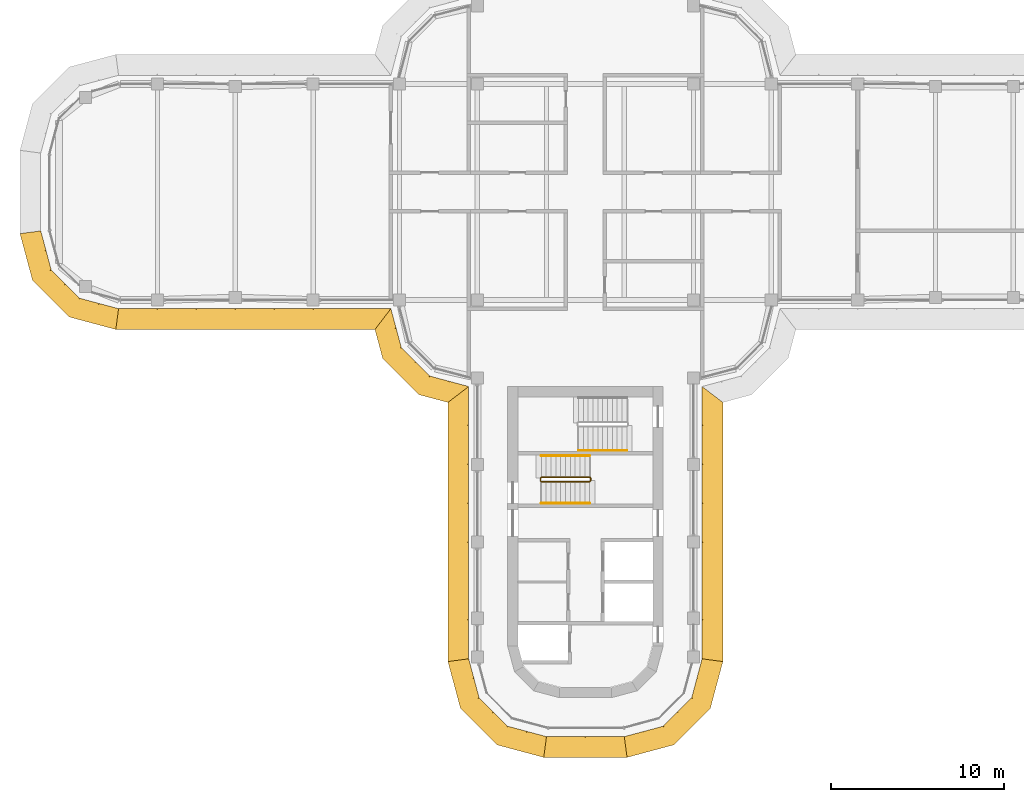
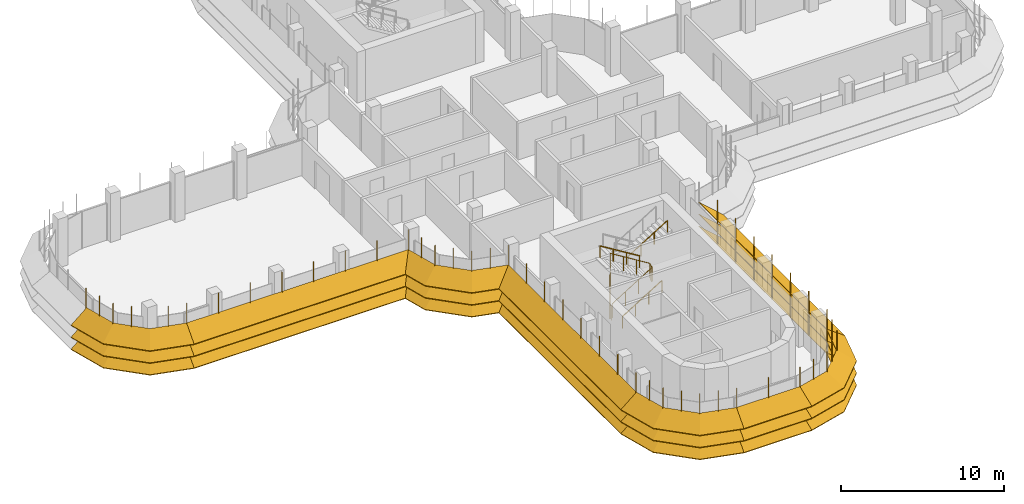
# One storey, part 16 of 19: 8 shading devices, 4 railings.
"""IFC4 building model written with IfcOpenShell, lengths in metres."""

from ifc_helpers import new_model, si_unit, direction, frame, origin, origin_2d, place, context, subcontext, project, spatial, polyline, circle, outline, extrude, faceted_brep, source, transform, mapped, material, type_object, element, save


model = new_model("IFC4")

# Units and contexts
model_context = context("Model", 3, precision=1e-05, world=origin(), true_north=direction((0.0, 1.0)))
body_context = subcontext(model_context, "Body", "Model", "MODEL_VIEW")
ifc_project = project(units=[si_unit("LENGTHUNIT", "METRE"), si_unit("AREAUNIT", "SQUARE_METRE"), si_unit("VOLUMEUNIT", "CUBIC_METRE"), si_unit("PLANEANGLEUNIT", "RADIAN"), si_unit("MASSUNIT", "GRAM", prefix="KILO")], contexts=[model_context])

# Site, building, storey
site_placement = place(None, origin())
site = spatial("IfcSite", under=ifc_project, at=site_placement, CompositionType="ELEMENT")
building_placement = place(site_placement, origin())
building = spatial("IfcBuilding", under=site, at=building_placement, Name="Zarbagh Exchange Tower", CompositionType="ELEMENT")
storey_placement = place(building_placement, frame((0.0, 0.0, 225.800048828125)))
storey = spatial("IfcBuildingStorey", under=building, at=storey_placement, Name="L55", CompositionType="ELEMENT", Elevation=225.800048828125)

# Railings
ifc_material_1 = material(Name="Stainless steel", Category="steel")
railing_type_1 = type_object("IfcRailingType", Name="Stair guard 1100 mm", PredefinedType="GUARDRAIL", material=ifc_material_1)
railing_1_placement = place(storey_placement, frame((-2.550048828125, -16.75, 0.172607421875)))
element("IfcRailing", 1, at=railing_1_placement, inside=storey, type_object=railing_type_1, Name="ST3 stair guard 1", PredefinedType="GUARDRAIL", context=body_context, shape_type="SweptSolid", body=[
    extrude(circle(Radius=0.02392578125, at=origin_2d()), frame((0.0, 0.0, 1.076171875), z_axis=(0.851089632645, 0.0, 0.525020415988), x_axis=(0.0, 1.0, 0.0)), (0.0, 0.0, 1.0), 3.2900390625),
    extrude(circle(Radius=0.02392578125, at=origin_2d()), frame((2.800048828125, 0.0, 2.80322265625), z_axis=(0.707106781187, 0.707106781187, 0.0), x_axis=(-0.707106781187, 0.707106781187, 0.0)), (0.0, 0.0, 1.0), 0.07080078125),
    extrude(circle(Radius=0.02392578125, at=origin_2d()), frame((2.85009765625, 0.050048828125, 2.80322265625), z_axis=(0.0, 1.0, 0.0), x_axis=(-1.0, 0.0, 0.0)), (0.0, 0.0, 1.0), 0.14990234375),
    extrude(circle(Radius=0.02392578125, at=origin_2d()), frame((2.85009765625, 0.199951171875, 2.80322265625), z_axis=(-0.267953482034, 0.267953482034, 0.925419830635), x_axis=(-0.707106781187, -0.707106781187, 0.0)), (0.0, 0.0, 1.0), 0.186767578125),
    extrude(circle(Radius=0.02392578125, at=origin_2d()), frame((2.800048828125, 0.25, 2.97607421875), z_axis=(-0.851089632645, 0.0, 0.525020415988), x_axis=(0.0, -1.0, 0.0)), (0.0, 0.0, 1.0), 3.2900390625),
    extrude(circle(Radius=0.02392578125, at=origin_2d()), frame((0.0, 0.25, 4.70361328125), z_axis=(-0.013168290981, -0.013168290981, -0.999826581076), x_axis=(0.707106781187, -0.707106781187, 0.0)), (0.0, 0.0, 1.0), 3.80078125),
    extrude(circle(Radius=0.02392578125, at=origin_2d()), frame((-0.050048828125, 0.199951171875, 0.9033203125), z_axis=(0.0, -1.0, 0.0), x_axis=(1.0, 0.0, 0.0)), (0.0, 0.0, 1.0), 0.14990234375),
    extrude(circle(Radius=0.02099609375, at=origin_2d()), origin(), (0.0, 0.0, 1.0), 1.052001953125),
    extrude(circle(Radius=0.02099609375, at=origin_2d()), frame((0.933349609375, 0.0, 0.57568359375)), (0.0, 0.0, 1.0), 1.052001953125),
    extrude(circle(Radius=0.02099609375, at=origin_2d()), frame((1.86669921875, 0.0, 1.151611328125)), (0.0, 0.0, 1.0), 1.052001953125),
    extrude(circle(Radius=0.02099609375, at=origin_2d()), frame((2.800048828125, 0.0, 1.727294921875)), (0.0, 0.0, 1.0), 1.052001953125),
    extrude(circle(Radius=0.02099609375, at=origin_2d()), frame((2.85009765625, 0.050048828125, 1.727294921875)), (0.0, 0.0, 1.0), 1.052001953125),
    extrude(circle(Radius=0.02099609375, at=origin_2d()), frame((2.85009765625, 0.199951171875, 1.727294921875)), (0.0, 0.0, 1.0), 1.052001953125),
    extrude(circle(Radius=0.02099609375, at=origin_2d()), frame((2.800048828125, 0.25, 1.900146484375)), (0.0, 0.0, 1.0), 1.052001953125),
    extrude(circle(Radius=0.02099609375, at=origin_2d()), frame((1.86669921875, 0.25, 2.475830078125)), (0.0, 0.0, 1.0), 1.052001953125),
    extrude(circle(Radius=0.02099609375, at=origin_2d()), frame((0.933349609375, 0.25, 3.0517578125)), (0.0, 0.0, 1.0), 1.052001953125),
    extrude(circle(Radius=0.02099609375, at=origin_2d()), frame((0.0, 0.25, 3.62744140625)), (0.0, 0.0, 1.0), 1.052001953125),
    extrude(circle(Radius=0.02099609375, at=origin_2d()), frame((-0.012451171875, 0.237548828125, 2.677490234375)), (0.0, 0.0, 1.0), 1.052001953125),
    extrude(circle(Radius=0.02099609375, at=origin_2d()), frame((-0.02490234375, 0.22509765625, 1.7275390625)), (0.0, 0.0, 1.0), 1.052001953125),
    extrude(circle(Radius=0.02099609375, at=origin_2d()), frame((-0.03759765625, 0.21240234375, 0.77734375)), (0.0, 0.0, 1.0), 1.052001953125),
    extrude(circle(Radius=0.02099609375, at=origin_2d()), frame((-0.050048828125, 0.199951171875, -0.172607421875)), (0.0, 0.0, 1.0), 1.052001953125),
    extrude(circle(Radius=0.02099609375, at=origin_2d()), frame((-0.050048828125, 0.050048828125, -0.172607421875)), (0.0, 0.0, 1.0), 1.052001953125),
])
railing_type_2 = type_object("IfcRailingType", Name="Stair handrail 900 mm", PredefinedType="HANDRAIL", material=ifc_material_1)
railing_2_placement = place(storey_placement, frame((-2.550048828125, -18.0, 0.172607421875)))
element("IfcRailing", 2, at=railing_2_placement, inside=storey, type_object=railing_type_2, Name="ST3 stair handrail 1", PredefinedType="HANDRAIL", context=body_context, shape_type="SweptSolid", body=[
    extrude(circle(Radius=0.02392578125, at=origin_2d()), frame((0.0, 0.0, 0.8759765625), z_axis=(0.851089632645, 0.0, 0.525020415988), x_axis=(0.0, 1.0, 0.0)), (0.0, 0.0, 1.0), 3.2900390625),
    extrude(circle(Radius=0.02099609375, at=origin_2d()), origin(), (0.0, 0.0, 1.0), 0.851806640625),
    extrude(circle(Radius=0.02099609375, at=origin_2d()), frame((0.933349609375, 0.0, 0.57568359375)), (0.0, 0.0, 1.0), 0.851806640625),
    extrude(circle(Radius=0.02099609375, at=origin_2d()), frame((1.86669921875, 0.0, 1.151611328125)), (0.0, 0.0, 1.0), 0.851806640625),
    extrude(circle(Radius=0.02099609375, at=origin_2d()), frame((2.800048828125, 0.0, 1.727294921875)), (0.0, 0.0, 1.0), 0.851806640625),
])
railing_3_placement = place(storey_placement, frame((0.25, -15.25, 2.07275390625)))
element("IfcRailing", 3, at=railing_3_placement, inside=storey, type_object=railing_type_2, Name="ST3 stair handrail 2", PredefinedType="HANDRAIL", context=body_context, shape_type="SweptSolid", body=[
    extrude(circle(Radius=0.02392578125, at=origin_2d()), frame((0.0, 0.0, 0.8759765625), z_axis=(-0.851089632645, 0.0, 0.525020415988), x_axis=(0.0, -1.0, 0.0)), (0.0, 0.0, 1.0), 3.2900390625),
    extrude(circle(Radius=0.02099609375, at=origin_2d()), origin(), (0.0, 0.0, 1.0), 0.851806640625),
    extrude(circle(Radius=0.02099609375, at=origin_2d()), frame((-0.933349609375, 0.0, 0.57568359375)), (0.0, 0.0, 1.0), 0.851806640625),
    extrude(circle(Radius=0.02099609375, at=origin_2d()), frame((-1.86669921875, 0.0, 1.151611328125)), (0.0, 0.0, 1.0), 0.851806640625),
    extrude(circle(Radius=0.02099609375, at=origin_2d()), frame((-2.800048828125, 0.0, 1.727294921875)), (0.0, 0.0, 1.0), 0.851806640625),
])
railing_4_placement = place(storey_placement, frame((-0.39990234375, -14.949951171875, 2.07275390625)))
element("IfcRailing", 4, at=railing_4_placement, inside=storey, type_object=railing_type_2, Name="ST4 stair handrail 2", PredefinedType="HANDRAIL", context=body_context, shape_type="SweptSolid", body=[
    extrude(circle(Radius=0.02392578125, at=origin_2d()), frame((0.0, 0.0, 0.8759765625), z_axis=(0.851069175582, 0.0, 0.525053576669), x_axis=(0.0, 1.0, 0.0)), (0.0, 0.0, 1.0), 3.289794921875),
    extrude(circle(Radius=0.02099609375, at=origin_2d()), origin(), (0.0, 0.0, 1.0), 0.851806640625),
    extrude(circle(Radius=0.02099609375, at=origin_2d()), frame((0.933349609375, 0.0, 0.57568359375)), (0.0, 0.0, 1.0), 0.851806640625),
    extrude(circle(Radius=0.02099609375, at=origin_2d()), frame((1.866455078125, 0.0, 1.151611328125)), (0.0, 0.0, 1.0), 0.851806640625),
    extrude(circle(Radius=0.02099609375, at=origin_2d()), frame((2.7998046875, 0.0, 1.727294921875)), (0.0, 0.0, 1.0), 0.851806640625),
])

# Shading devices
ifc_material_2 = material(Name="Anodised aluminium blades and brackets", Category="aluminium")
shading_device_type = type_object("IfcShadingDeviceType", Name="SUNSHADE louvre band, 33.75 degree blades", PredefinedType="JALOUSIE", material=ifc_material_2)
shared_shape_1 = source(origin(), body_context, "Body", "Brep", [
    faceted_brep([(0.0, 0.0, 0.0), (0.0, 0.0, -0.048095703125), (-0.157958984375, -1.199951171875, -0.849853515625), (-0.157958984375, -1.199951171875, -0.8017578125), (2.65087890625, -1.199951171875, -0.8017578125), (2.65087890625, -1.199951171875, -0.849853515625), (2.329345703125, 0.0, -0.048095703125), (2.329345703125, 0.0, 0.0)], [[[0, 1, 2, 3]], [[4, 5, 6, 7]], [[0, 7, 6, 1]], [[1, 6, 5, 2]], [[2, 5, 4, 3]], [[3, 4, 7, 0]]]),
])
shared_shape_2 = source(origin(), body_context, "Body", "Brep", [
    faceted_brep([(0.0, 0.0, 0.0), (0.0, 0.0, -0.048095703125), (-0.321533203125, -1.199951171875, -0.849853515625), (-0.321533203125, -1.199951171875, -0.8017578125), (2.65087890625, -1.199951171875, -0.8017578125), (2.65087890625, -1.199951171875, -0.849853515625), (2.329345703125, 0.0, -0.048095703125), (2.329345703125, 0.0, 0.0)], [[[0, 1, 2, 3]], [[4, 5, 6, 7]], [[0, 7, 6, 1]], [[1, 6, 5, 2]], [[2, 5, 4, 3]], [[3, 4, 7, 0]]]),
])
shared_shape_3 = source(origin(), body_context, "Body", "Brep", [
    faceted_brep([(0.0, 0.0, 0.0), (0.0, 0.0, -0.048095703125), (-0.321533203125, -1.199951171875, -0.849853515625), (-0.321533203125, -1.199951171875, -0.8017578125), (2.4873046875, -1.199951171875, -0.8017578125), (2.4873046875, -1.199951171875, -0.849853515625), (2.329345703125, 0.0, -0.048095703125), (2.329345703125, 0.0, 0.0)], [[[0, 1, 2, 3]], [[4, 5, 6, 7]], [[0, 7, 6, 1]], [[1, 6, 5, 2]], [[2, 5, 4, 3]], [[3, 4, 7, 0]]]),
])
shared_shape_4 = source(origin(), body_context, "Body", "SweptSolid", [
    extrude(outline(polyline([(0.0, -0.012451171875), (0.06005859375, -0.012451171875), (0.06005859375, 0.012451171875), (0.0, 0.012451171875), (0.0, -0.012451171875)])), origin(), (0.0, 0.0, 1.0), 3.358154296875),
])
placement = place(storey_placement, origin())
element("IfcShadingDevice", 5, at=placement, inside=storey, type_object=shading_device_type, Name="SS35 sunshade band", PredefinedType="JALOUSIE", context=body_context, shape_type="MappedRepresentation", body=[
    mapped(shared_shape_1, transform((2.25, -31.5, 2.300048828125), x_axis=(0.965924289636, 0.258824779902, 0.0), y_axis=(-0.258824779902, 0.965924289636, 0.0), z_axis=(0.0, 0.0, 1.0))),
    mapped(shared_shape_1, transform((2.25, -31.5, 1.39990234375), x_axis=(0.965924289636, 0.258824779902, 0.0), y_axis=(-0.258824779902, 0.965924289636, 0.0), z_axis=(0.0, 0.0, 1.0))),
    mapped(shared_shape_1, transform((2.25, -31.5, 0.5), x_axis=(0.965924289636, 0.258824779902, 0.0), y_axis=(-0.258824779902, 0.965924289636, 0.0), z_axis=(0.0, 0.0, 1.0))),
    mapped(shared_shape_2, transform((4.5, -30.897216796875, 2.300048828125), x_axis=(0.707106781187, 0.707106781187, 0.0), y_axis=(-0.707106781187, 0.707106781187, 0.0), z_axis=(0.0, 0.0, 1.0))),
    mapped(shared_shape_2, transform((4.5, -30.897216796875, 1.39990234375), x_axis=(0.707106781187, 0.707106781187, 0.0), y_axis=(-0.707106781187, 0.707106781187, 0.0), z_axis=(0.0, 0.0, 1.0))),
    mapped(shared_shape_2, transform((4.5, -30.897216796875, 0.5), x_axis=(0.707106781187, 0.707106781187, 0.0), y_axis=(-0.707106781187, 0.707106781187, 0.0), z_axis=(0.0, 0.0, 1.0))),
    mapped(shared_shape_3, transform((6.147216796875, -29.25, 2.300048828125), x_axis=(0.258824779902, 0.965924289636, 0.0), y_axis=(-0.965924289636, 0.258824779902, 0.0), z_axis=(0.0, 0.0, 1.0))),
    mapped(shared_shape_3, transform((6.147216796875, -29.25, 1.39990234375), x_axis=(0.258824779902, 0.965924289636, 0.0), y_axis=(-0.965924289636, 0.258824779902, 0.0), z_axis=(0.0, 0.0, 1.0))),
    mapped(shared_shape_3, transform((6.147216796875, -29.25, 0.5), x_axis=(0.258824779902, 0.965924289636, 0.0), y_axis=(-0.965924289636, 0.258824779902, 0.0), z_axis=(0.0, 0.0, 1.0))),
    mapped(shared_shape_4, transform((2.25, -31.5, 0.421875), x_axis=(0.130529263012, -0.991444457092, 0.0), y_axis=(0.991444457092, 0.130529263012, 0.0), z_axis=(0.0, 0.0, 1.0))),
    mapped(shared_shape_4, transform((3.375, -31.198486328125, 0.421875), x_axis=(0.258825058029, -0.96592421511, 0.0), y_axis=(0.96592421511, 0.258825058029, 0.0), z_axis=(0.0, 0.0, 1.0))),
    mapped(shared_shape_4, transform((4.5, -30.897216796875, 0.421875), x_axis=(0.50000275701, -0.866023812018, 0.0), y_axis=(0.866023812018, 0.50000275701, 0.0), z_axis=(0.0, 0.0, 1.0))),
    mapped(shared_shape_4, transform((5.323486328125, -30.073486328125, 0.421875), x_axis=(0.707106781187, -0.707106781187, 0.0), y_axis=(0.707106781187, 0.707106781187, 0.0), z_axis=(0.0, 0.0, 1.0))),
    mapped(shared_shape_4, transform((6.147216796875, -29.25, 0.421875), x_axis=(0.866023812018, -0.50000275701, 0.0), y_axis=(0.50000275701, 0.866023812018, 0.0), z_axis=(0.0, 0.0, 1.0))),
    mapped(shared_shape_4, transform((6.448486328125, -28.125, 0.421875), x_axis=(0.96592421511, -0.258825058029, 0.0), y_axis=(0.258825058029, 0.96592421511, 0.0), z_axis=(0.0, 0.0, 1.0))),
])
element("IfcShadingDevice", 6, at=placement, inside=storey, type_object=shading_device_type, Name="SS43 sunshade band", PredefinedType="JALOUSIE", context=body_context, shape_type="MappedRepresentation", body=[
    mapped(shared_shape_1, transform((-31.5, -2.25, 2.300048828125), x_axis=(0.258824779902, -0.965924289636, 0.0), y_axis=(0.965924289636, 0.258824779902, 0.0), z_axis=(0.0, 0.0, 1.0))),
    mapped(shared_shape_1, transform((-31.5, -2.25, 1.39990234375), x_axis=(0.258824779902, -0.965924289636, 0.0), y_axis=(0.965924289636, 0.258824779902, 0.0), z_axis=(0.0, 0.0, 1.0))),
    mapped(shared_shape_1, transform((-31.5, -2.25, 0.5), x_axis=(0.258824779902, -0.965924289636, 0.0), y_axis=(0.965924289636, 0.258824779902, 0.0), z_axis=(0.0, 0.0, 1.0))),
    mapped(shared_shape_2, transform((-30.897216796875, -4.5, 2.300048828125), x_axis=(0.707106781187, -0.707106781187, 0.0), y_axis=(0.707106781187, 0.707106781187, 0.0), z_axis=(0.0, 0.0, 1.0))),
    mapped(shared_shape_2, transform((-30.897216796875, -4.5, 1.39990234375), x_axis=(0.707106781187, -0.707106781187, 0.0), y_axis=(0.707106781187, 0.707106781187, 0.0), z_axis=(0.0, 0.0, 1.0))),
    mapped(shared_shape_2, transform((-30.897216796875, -4.5, 0.5), x_axis=(0.707106781187, -0.707106781187, 0.0), y_axis=(0.707106781187, 0.707106781187, 0.0), z_axis=(0.0, 0.0, 1.0))),
    mapped(shared_shape_3, transform((-29.25, -6.147216796875, 2.300048828125), x_axis=(0.965924289636, -0.258824779902, 0.0), y_axis=(0.258824779902, 0.965924289636, 0.0), z_axis=(0.0, 0.0, 1.0))),
    mapped(shared_shape_3, transform((-29.25, -6.147216796875, 1.39990234375), x_axis=(0.965924289636, -0.258824779902, 0.0), y_axis=(0.258824779902, 0.965924289636, 0.0), z_axis=(0.0, 0.0, 1.0))),
    mapped(shared_shape_3, transform((-29.25, -6.147216796875, 0.5), x_axis=(0.965924289636, -0.258824779902, 0.0), y_axis=(0.258824779902, 0.965924289636, 0.0), z_axis=(0.0, 0.0, 1.0))),
    mapped(shared_shape_4, transform((-31.5, -2.25, 0.421875), x_axis=(-0.991444457092, -0.130529263012, 0.0), y_axis=(0.130529263012, -0.991444457092, 0.0), z_axis=(0.0, 0.0, 1.0))),
    mapped(shared_shape_4, transform((-31.198486328125, -3.375, 0.421875), x_axis=(-0.96592421511, -0.258825058029, 0.0), y_axis=(0.258825058029, -0.96592421511, 0.0), z_axis=(0.0, 0.0, 1.0))),
    mapped(shared_shape_4, transform((-30.897216796875, -4.5, 0.421875), x_axis=(-0.866023812018, -0.50000275701, 0.0), y_axis=(0.50000275701, -0.866023812018, 0.0), z_axis=(0.0, 0.0, 1.0))),
    mapped(shared_shape_4, transform((-30.073486328125, -5.323486328125, 0.421875), x_axis=(-0.707106781187, -0.707106781187, 0.0), y_axis=(0.707106781187, -0.707106781187, 0.0), z_axis=(0.0, 0.0, 1.0))),
    mapped(shared_shape_4, transform((-29.25, -6.147216796875, 0.421875), x_axis=(-0.50000275701, -0.866023812018, 0.0), y_axis=(0.866023812018, -0.50000275701, 0.0), z_axis=(0.0, 0.0, 1.0))),
    mapped(shared_shape_4, transform((-28.125, -6.448486328125, 0.421875), x_axis=(-0.258825058029, -0.96592421511, 0.0), y_axis=(0.96592421511, -0.258825058029, 0.0), z_axis=(0.0, 0.0, 1.0))),
])
element("IfcShadingDevice", 7, at=placement, inside=storey, type_object=shading_device_type, Name="SS38 sunshade band", PredefinedType="JALOUSIE", context=body_context, shape_type="MappedRepresentation", body=[
    mapped(shared_shape_1, transform((-6.75, -27.0, 2.300048828125), x_axis=(0.258824779902, -0.965924289636, 0.0), y_axis=(0.965924289636, 0.258824779902, 0.0), z_axis=(0.0, 0.0, 1.0))),
    mapped(shared_shape_1, transform((-6.75, -27.0, 1.39990234375), x_axis=(0.258824779902, -0.965924289636, 0.0), y_axis=(0.965924289636, 0.258824779902, 0.0), z_axis=(0.0, 0.0, 1.0))),
    mapped(shared_shape_1, transform((-6.75, -27.0, 0.5), x_axis=(0.258824779902, -0.965924289636, 0.0), y_axis=(0.965924289636, 0.258824779902, 0.0), z_axis=(0.0, 0.0, 1.0))),
    mapped(shared_shape_2, transform((-6.147216796875, -29.25, 2.300048828125), x_axis=(0.707106781187, -0.707106781187, 0.0), y_axis=(0.707106781187, 0.707106781187, 0.0), z_axis=(0.0, 0.0, 1.0))),
    mapped(shared_shape_2, transform((-6.147216796875, -29.25, 1.39990234375), x_axis=(0.707106781187, -0.707106781187, 0.0), y_axis=(0.707106781187, 0.707106781187, 0.0), z_axis=(0.0, 0.0, 1.0))),
    mapped(shared_shape_2, transform((-6.147216796875, -29.25, 0.5), x_axis=(0.707106781187, -0.707106781187, 0.0), y_axis=(0.707106781187, 0.707106781187, 0.0), z_axis=(0.0, 0.0, 1.0))),
    mapped(shared_shape_3, transform((-4.5, -30.897216796875, 2.300048828125), x_axis=(0.965924289636, -0.258824779902, 0.0), y_axis=(0.258824779902, 0.965924289636, 0.0), z_axis=(0.0, 0.0, 1.0))),
    mapped(shared_shape_3, transform((-4.5, -30.897216796875, 1.39990234375), x_axis=(0.965924289636, -0.258824779902, 0.0), y_axis=(0.258824779902, 0.965924289636, 0.0), z_axis=(0.0, 0.0, 1.0))),
    mapped(shared_shape_3, transform((-4.5, -30.897216796875, 0.5), x_axis=(0.965924289636, -0.258824779902, 0.0), y_axis=(0.258824779902, 0.965924289636, 0.0), z_axis=(0.0, 0.0, 1.0))),
    mapped(shared_shape_4, transform((-6.75, -27.0, 0.421875), x_axis=(-0.991444457092, -0.130529263012, 0.0), y_axis=(0.130529263012, -0.991444457092, 0.0), z_axis=(0.0, 0.0, 1.0))),
    mapped(shared_shape_4, transform((-6.448486328125, -28.125, 0.421875), x_axis=(-0.96592421511, -0.258825058029, 0.0), y_axis=(0.258825058029, -0.96592421511, 0.0), z_axis=(0.0, 0.0, 1.0))),
    mapped(shared_shape_4, transform((-6.147216796875, -29.25, 0.421875), x_axis=(-0.866023812018, -0.50000275701, 0.0), y_axis=(0.50000275701, -0.866023812018, 0.0), z_axis=(0.0, 0.0, 1.0))),
    mapped(shared_shape_4, transform((-5.323486328125, -30.073486328125, 0.421875), x_axis=(-0.707106781187, -0.707106781187, 0.0), y_axis=(0.707106781187, -0.707106781187, 0.0), z_axis=(0.0, 0.0, 1.0))),
    mapped(shared_shape_4, transform((-4.5, -30.897216796875, 0.421875), x_axis=(-0.50000275701, -0.866023812018, 0.0), y_axis=(0.866023812018, -0.50000275701, 0.0), z_axis=(0.0, 0.0, 1.0))),
    mapped(shared_shape_4, transform((-3.375, -31.198486328125, 0.421875), x_axis=(-0.258825058029, -0.96592421511, 0.0), y_axis=(0.96592421511, -0.258825058029, 0.0), z_axis=(0.0, 0.0, 1.0))),
])
shared_shape_5 = source(origin(), body_context, "Body", "Brep", [
    faceted_brep([(0.0, 0.0, 0.0), (0.0, 0.0, -0.048095703125), (0.9208984375, -1.199951171875, -0.849853515625), (0.9208984375, -1.199951171875, -0.8017578125), (2.65087890625, -1.199951171875, -0.8017578125), (2.65087890625, -1.199951171875, -0.849853515625), (2.329345703125, 0.0, -0.048095703125), (2.329345703125, 0.0, 0.0)], [[[0, 1, 2, 3]], [[4, 5, 6, 7]], [[0, 7, 6, 1]], [[1, 6, 5, 2]], [[2, 5, 4, 3]], [[3, 4, 7, 0]]]),
])
shared_shape_6 = source(origin(), body_context, "Body", "Brep", [
    faceted_brep([(0.0, 0.0, 0.0), (0.0, 0.0, -0.048095703125), (-0.321533203125, -1.199951171875, -0.849853515625), (-0.321533203125, -1.199951171875, -0.8017578125), (1.40869140625, -1.199951171875, -0.8017578125), (1.40869140625, -1.199951171875, -0.849853515625), (2.329345703125, 0.0, -0.048095703125), (2.329345703125, 0.0, 0.0)], [[[0, 1, 2, 3]], [[4, 5, 6, 7]], [[0, 7, 6, 1]], [[1, 6, 5, 2]], [[2, 5, 4, 3]], [[3, 4, 7, 0]]]),
])
element("IfcShadingDevice", 8, at=placement, inside=storey, type_object=shading_device_type, Name="SS21 sunshade band", PredefinedType="JALOUSIE", context=body_context, shape_type="MappedRepresentation", body=[
    mapped(shared_shape_5, transform((-11.25, -6.75, 2.300048828125), x_axis=(0.258824779902, -0.965924289636, 0.0), y_axis=(0.965924289636, 0.258824779902, 0.0), z_axis=(0.0, 0.0, 1.0))),
    mapped(shared_shape_5, transform((-11.25, -6.75, 1.39990234375), x_axis=(0.258824779902, -0.965924289636, 0.0), y_axis=(0.965924289636, 0.258824779902, 0.0), z_axis=(0.0, 0.0, 1.0))),
    mapped(shared_shape_5, transform((-11.25, -6.75, 0.5), x_axis=(0.258824779902, -0.965924289636, 0.0), y_axis=(0.965924289636, 0.258824779902, 0.0), z_axis=(0.0, 0.0, 1.0))),
    mapped(shared_shape_2, transform((-10.647216796875, -9.0, 2.300048828125), x_axis=(0.707106781187, -0.707106781187, 0.0), y_axis=(0.707106781187, 0.707106781187, 0.0), z_axis=(0.0, 0.0, 1.0))),
    mapped(shared_shape_2, transform((-10.647216796875, -9.0, 1.39990234375), x_axis=(0.707106781187, -0.707106781187, 0.0), y_axis=(0.707106781187, 0.707106781187, 0.0), z_axis=(0.0, 0.0, 1.0))),
    mapped(shared_shape_2, transform((-10.647216796875, -9.0, 0.5), x_axis=(0.707106781187, -0.707106781187, 0.0), y_axis=(0.707106781187, 0.707106781187, 0.0), z_axis=(0.0, 0.0, 1.0))),
    mapped(shared_shape_6, transform((-9.0, -10.647216796875, 2.300048828125), x_axis=(0.965924289636, -0.258824779902, 0.0), y_axis=(0.258824779902, 0.965924289636, 0.0), z_axis=(0.0, 0.0, 1.0))),
    mapped(shared_shape_6, transform((-9.0, -10.647216796875, 1.39990234375), x_axis=(0.965924289636, -0.258824779902, 0.0), y_axis=(0.258824779902, 0.965924289636, 0.0), z_axis=(0.0, 0.0, 1.0))),
    mapped(shared_shape_6, transform((-9.0, -10.647216796875, 0.5), x_axis=(0.965924289636, -0.258824779902, 0.0), y_axis=(0.258824779902, 0.965924289636, 0.0), z_axis=(0.0, 0.0, 1.0))),
    mapped(shared_shape_4, transform((-11.25, -6.75, 0.421875), x_axis=(-0.608758892, -0.793355287, 0.0), y_axis=(0.793355287, -0.608758892, 0.0), z_axis=(0.0, 0.0, 1.0))),
    mapped(shared_shape_4, transform((-10.948486328125, -7.875, 0.421875), x_axis=(-0.96592421511, -0.258825058029, 0.0), y_axis=(0.258825058029, -0.96592421511, 0.0), z_axis=(0.0, 0.0, 1.0))),
    mapped(shared_shape_4, transform((-10.647216796875, -9.0, 0.421875), x_axis=(-0.866023812018, -0.50000275701, 0.0), y_axis=(0.50000275701, -0.866023812018, 0.0), z_axis=(0.0, 0.0, 1.0))),
    mapped(shared_shape_4, transform((-9.823486328125, -9.823486328125, 0.421875), x_axis=(-0.707106781187, -0.707106781187, 0.0), y_axis=(0.707106781187, -0.707106781187, 0.0), z_axis=(0.0, 0.0, 1.0))),
    mapped(shared_shape_4, transform((-9.0, -10.647216796875, 0.421875), x_axis=(-0.50000275701, -0.866023812018, 0.0), y_axis=(0.866023812018, -0.50000275701, 0.0), z_axis=(0.0, 0.0, 1.0))),
    mapped(shared_shape_4, transform((-7.875, -10.948486328125, 0.421875), x_axis=(-0.258825058029, -0.96592421511, 0.0), y_axis=(0.96592421511, -0.258825058029, 0.0), z_axis=(0.0, 0.0, 1.0))),
])
shared_shape_7 = source(origin(), body_context, "Body", "Brep", [
    faceted_brep([(0.0, 0.0, 0.0), (0.0, 0.0, -0.048095703125), (-0.157958984375, -1.199951171875, -0.849853515625), (-0.157958984375, -1.199951171875, -0.8017578125), (14.8291015625, -1.199951171875, -0.8017578125), (14.8291015625, -1.199951171875, -0.849853515625), (15.75, 0.0, -0.048095703125), (15.75, 0.0, 0.0)], [[[0, 1, 2, 3]], [[4, 5, 6, 7]], [[0, 7, 6, 1]], [[1, 6, 5, 2]], [[2, 5, 4, 3]], [[3, 4, 7, 0]]]),
])
element("IfcShadingDevice", 9, at=placement, inside=storey, type_object=shading_device_type, Name="SS36 sunshade band", PredefinedType="JALOUSIE", context=body_context, shape_type="MappedRepresentation", body=[
    mapped(shared_shape_7, transform((6.75, -27.0, 2.300048828125), x_axis=(0.0, 1.0, 0.0), y_axis=(-1.0, 0.0, 0.0), z_axis=(0.0, 0.0, 1.0))),
    mapped(shared_shape_7, transform((6.75, -27.0, 1.39990234375), x_axis=(0.0, 1.0, 0.0), y_axis=(-1.0, 0.0, 0.0), z_axis=(0.0, 0.0, 1.0))),
    mapped(shared_shape_7, transform((6.75, -27.0, 0.5), x_axis=(0.0, 1.0, 0.0), y_axis=(-1.0, 0.0, 0.0), z_axis=(0.0, 0.0, 1.0))),
    mapped(shared_shape_4, transform((6.75, -27.0, 0.421875), x_axis=(0.991444457092, -0.130529263012, 0.0), y_axis=(0.130529263012, 0.991444457092, 0.0), z_axis=(0.0, 0.0, 1.0))),
    mapped(shared_shape_4, transform((6.75, -24.75, 0.421875), x_axis=(1.0, 0.0, 0.0), y_axis=(0.0, 1.0, 0.0), z_axis=(0.0, 0.0, 1.0))),
    mapped(shared_shape_4, transform((6.75, -22.5, 0.421875), x_axis=(1.0, 0.0, 0.0), y_axis=(0.0, 1.0, 0.0), z_axis=(0.0, 0.0, 1.0))),
    mapped(shared_shape_4, transform((6.75, -20.25, 0.421875), x_axis=(1.0, 0.0, 0.0), y_axis=(0.0, 1.0, 0.0), z_axis=(0.0, 0.0, 1.0))),
    mapped(shared_shape_4, transform((6.75, -18.0, 0.421875), x_axis=(1.0, 0.0, 0.0), y_axis=(0.0, 1.0, 0.0), z_axis=(0.0, 0.0, 1.0))),
    mapped(shared_shape_4, transform((6.75, -15.75, 0.421875), x_axis=(1.0, 0.0, 0.0), y_axis=(0.0, 1.0, 0.0), z_axis=(0.0, 0.0, 1.0))),
    mapped(shared_shape_4, transform((6.75, -13.5, 0.421875), x_axis=(1.0, 0.0, 0.0), y_axis=(0.0, 1.0, 0.0), z_axis=(0.0, 0.0, 1.0))),
])
element("IfcShadingDevice", 10, at=placement, inside=storey, type_object=shading_device_type, Name="SS44 sunshade band", PredefinedType="JALOUSIE", context=body_context, shape_type="MappedRepresentation", body=[
    mapped(shared_shape_7, transform((-27.0, -6.75, 2.300048828125), x_axis=(1.0, 0.0, 0.0), y_axis=(0.0, 1.0, 0.0), z_axis=(0.0, 0.0, 1.0))),
    mapped(shared_shape_7, transform((-27.0, -6.75, 1.39990234375), x_axis=(1.0, 0.0, 0.0), y_axis=(0.0, 1.0, 0.0), z_axis=(0.0, 0.0, 1.0))),
    mapped(shared_shape_7, transform((-27.0, -6.75, 0.5), x_axis=(1.0, 0.0, 0.0), y_axis=(0.0, 1.0, 0.0), z_axis=(0.0, 0.0, 1.0))),
    mapped(shared_shape_4, transform((-27.0, -6.75, 0.421875), x_axis=(-0.130529263012, -0.991444457092, 0.0), y_axis=(0.991444457092, -0.130529263012, 0.0), z_axis=(0.0, 0.0, 1.0))),
    mapped(shared_shape_4, transform((-24.75, -6.75, 0.421875), x_axis=(0.0, -1.0, 0.0), y_axis=(1.0, 0.0, 0.0), z_axis=(0.0, 0.0, 1.0))),
    mapped(shared_shape_4, transform((-22.5, -6.75, 0.421875), x_axis=(0.0, -1.0, 0.0), y_axis=(1.0, 0.0, 0.0), z_axis=(0.0, 0.0, 1.0))),
    mapped(shared_shape_4, transform((-20.25, -6.75, 0.421875), x_axis=(0.0, -1.0, 0.0), y_axis=(1.0, 0.0, 0.0), z_axis=(0.0, 0.0, 1.0))),
    mapped(shared_shape_4, transform((-18.0, -6.75, 0.421875), x_axis=(0.0, -1.0, 0.0), y_axis=(1.0, 0.0, 0.0), z_axis=(0.0, 0.0, 1.0))),
    mapped(shared_shape_4, transform((-15.75, -6.75, 0.421875), x_axis=(0.0, -1.0, 0.0), y_axis=(1.0, 0.0, 0.0), z_axis=(0.0, 0.0, 1.0))),
    mapped(shared_shape_4, transform((-13.5, -6.75, 0.421875), x_axis=(0.0, -1.0, 0.0), y_axis=(1.0, 0.0, 0.0), z_axis=(0.0, 0.0, 1.0))),
])
shared_shape_8 = source(origin(), body_context, "Body", "Brep", [
    faceted_brep([(0.0, 0.0, 0.0), (0.0, 0.0, -0.048095703125), (0.9208984375, -1.199951171875, -0.849853515625), (0.9208984375, -1.199951171875, -0.8017578125), (15.907958984375, -1.199951171875, -0.8017578125), (15.907958984375, -1.199951171875, -0.849853515625), (15.75, 0.0, -0.048095703125), (15.75, 0.0, 0.0)], [[[0, 1, 2, 3]], [[4, 5, 6, 7]], [[0, 7, 6, 1]], [[1, 6, 5, 2]], [[2, 5, 4, 3]], [[3, 4, 7, 0]]]),
])
element("IfcShadingDevice", 11, at=placement, inside=storey, type_object=shading_device_type, Name="SS37 sunshade band", PredefinedType="JALOUSIE", context=body_context, shape_type="MappedRepresentation", body=[
    mapped(shared_shape_8, transform((-6.75, -11.25, 2.300048828125), x_axis=(0.0, -1.0, 0.0), y_axis=(1.0, 0.0, 0.0), z_axis=(0.0, 0.0, 1.0))),
    mapped(shared_shape_8, transform((-6.75, -11.25, 1.39990234375), x_axis=(0.0, -1.0, 0.0), y_axis=(1.0, 0.0, 0.0), z_axis=(0.0, 0.0, 1.0))),
    mapped(shared_shape_8, transform((-6.75, -11.25, 0.5), x_axis=(0.0, -1.0, 0.0), y_axis=(1.0, 0.0, 0.0), z_axis=(0.0, 0.0, 1.0))),
    mapped(shared_shape_4, transform((-6.75, -11.25, 0.421875), x_axis=(-0.793355287, -0.608758892, 0.0), y_axis=(0.608758892, -0.793355287, 0.0), z_axis=(0.0, 0.0, 1.0))),
    mapped(shared_shape_4, transform((-6.75, -13.5, 0.421875), x_axis=(-1.0, 0.0, 0.0), y_axis=(0.0, -1.0, 0.0), z_axis=(0.0, 0.0, 1.0))),
    mapped(shared_shape_4, transform((-6.75, -15.75, 0.421875), x_axis=(-1.0, 0.0, 0.0), y_axis=(0.0, -1.0, 0.0), z_axis=(0.0, 0.0, 1.0))),
    mapped(shared_shape_4, transform((-6.75, -18.0, 0.421875), x_axis=(-1.0, 0.0, 0.0), y_axis=(0.0, -1.0, 0.0), z_axis=(0.0, 0.0, 1.0))),
    mapped(shared_shape_4, transform((-6.75, -20.25, 0.421875), x_axis=(-1.0, 0.0, 0.0), y_axis=(0.0, -1.0, 0.0), z_axis=(0.0, 0.0, 1.0))),
    mapped(shared_shape_4, transform((-6.75, -22.5, 0.421875), x_axis=(-1.0, 0.0, 0.0), y_axis=(0.0, -1.0, 0.0), z_axis=(0.0, 0.0, 1.0))),
    mapped(shared_shape_4, transform((-6.75, -24.75, 0.421875), x_axis=(-1.0, 0.0, 0.0), y_axis=(0.0, -1.0, 0.0), z_axis=(0.0, 0.0, 1.0))),
])
shared_shape_9 = source(origin(), body_context, "Body", "Brep", [
    faceted_brep([(0.0, 0.0, 0.0), (0.0, 0.0, -0.048095703125), (-0.157958984375, -1.199951171875, -0.849853515625), (-0.157958984375, -1.199951171875, -0.8017578125), (4.657958984375, -1.199951171875, -0.8017578125), (4.657958984375, -1.199951171875, -0.849853515625), (4.5, 0.0, -0.048095703125), (4.5, 0.0, 0.0)], [[[0, 1, 2, 3]], [[4, 5, 6, 7]], [[0, 7, 6, 1]], [[1, 6, 5, 2]], [[2, 5, 4, 3]], [[3, 4, 7, 0]]]),
])
element("IfcShadingDevice", 12, at=placement, inside=storey, type_object=shading_device_type, Name="SS39 sunshade band", PredefinedType="JALOUSIE", context=body_context, shape_type="MappedRepresentation", body=[
    mapped(shared_shape_9, transform((-2.25, -31.5, 2.300048828125), x_axis=(1.0, 0.0, 0.0), y_axis=(0.0, 1.0, 0.0), z_axis=(0.0, 0.0, 1.0))),
    mapped(shared_shape_9, transform((-2.25, -31.5, 1.39990234375), x_axis=(1.0, 0.0, 0.0), y_axis=(0.0, 1.0, 0.0), z_axis=(0.0, 0.0, 1.0))),
    mapped(shared_shape_9, transform((-2.25, -31.5, 0.5), x_axis=(1.0, 0.0, 0.0), y_axis=(0.0, 1.0, 0.0), z_axis=(0.0, 0.0, 1.0))),
    mapped(shared_shape_4, transform((-2.25, -31.5, 0.421875), x_axis=(-0.130529263012, -0.991444457092, 0.0), y_axis=(0.991444457092, -0.130529263012, 0.0), z_axis=(0.0, 0.0, 1.0))),
    mapped(shared_shape_4, transform((0.0, -31.5, 0.421875), x_axis=(0.0, -1.0, 0.0), y_axis=(1.0, 0.0, 0.0), z_axis=(0.0, 0.0, 1.0))),
])

save(model, "model.ifc")
